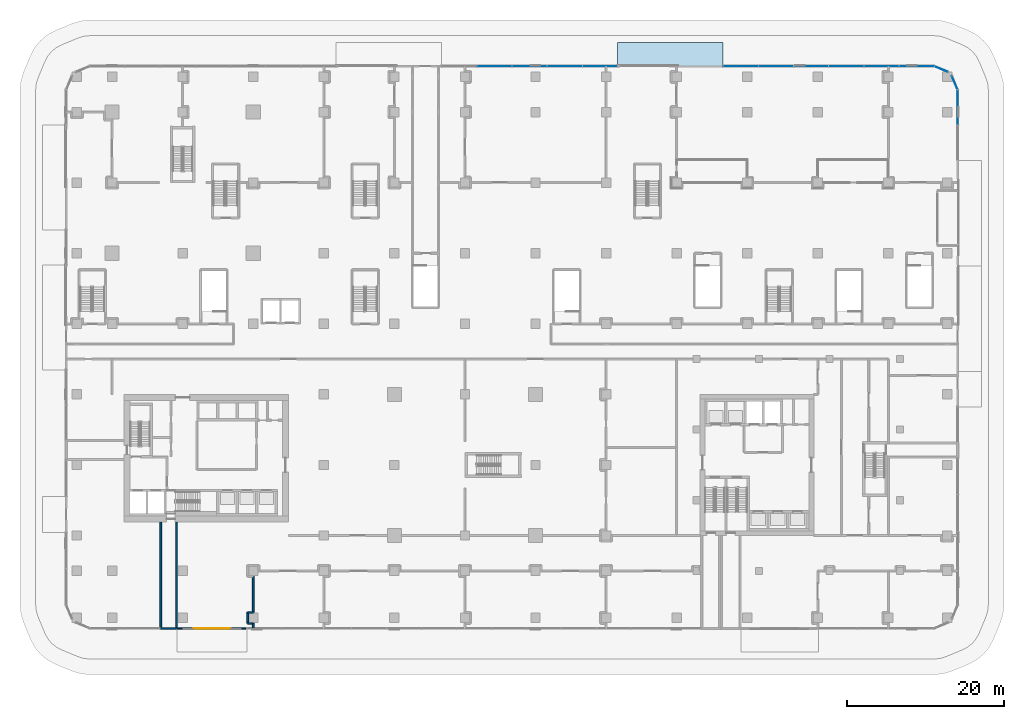
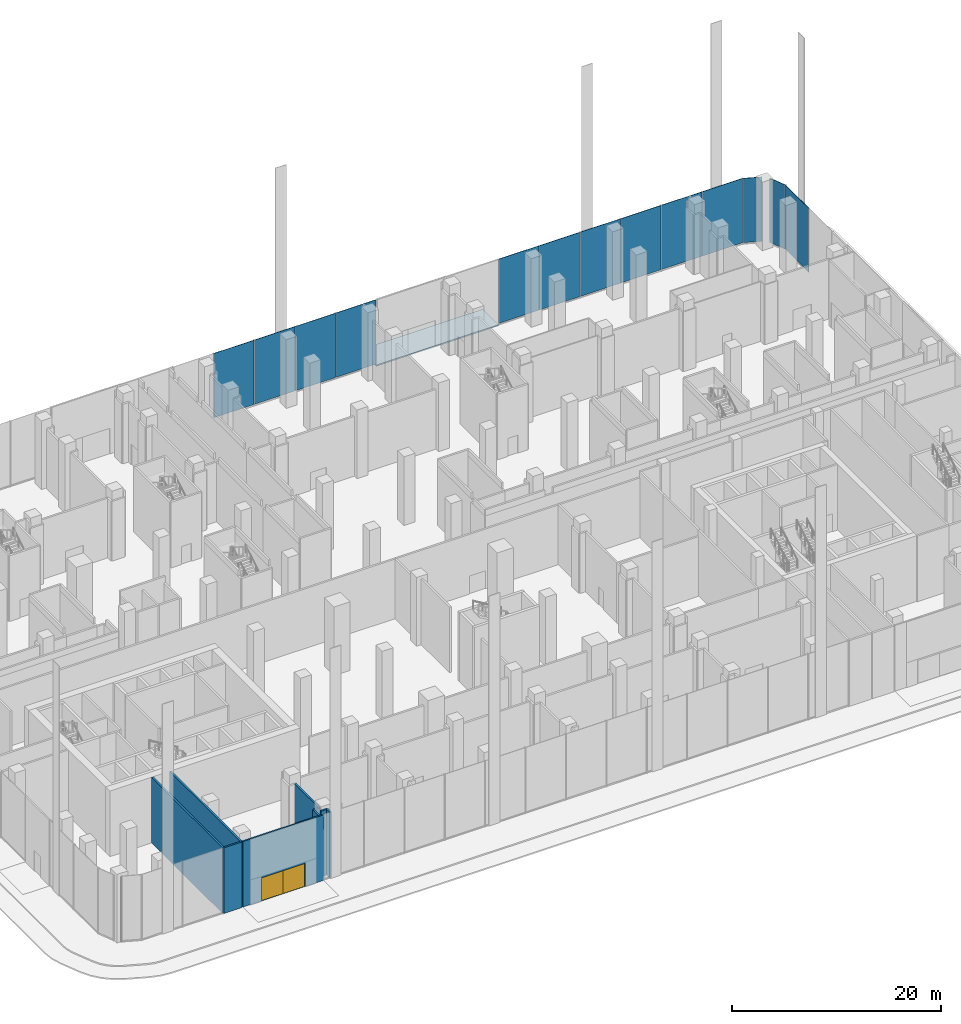
# One storey, part 16 of 42: 13 plates, 9 walls, 2 doors, 1 slab, 2 openings, 5 elements without a shape of their own.
"""IFC4 building model written with IfcOpenShell, lengths in metres."""

from ifc_helpers import new_model, si_unit, direction, frame, frame_2d, origin, origin_2d, place, context, subcontext, project, spatial, polyline, rectangle, outline, extrude, material, layer, layer_set, type_object, element, fill, aggregate, save


model = new_model("IFC4")

# Units and contexts
model_context = context("Model", 3, precision=1e-05, world=origin(), true_north=direction((0.0, 1.0)))
body_context = subcontext(model_context, "Body", "Model", "MODEL_VIEW")
ifc_project = project(units=[si_unit("LENGTHUNIT", "METRE"), si_unit("AREAUNIT", "SQUARE_METRE"), si_unit("VOLUMEUNIT", "CUBIC_METRE"), si_unit("PLANEANGLEUNIT", "RADIAN"), si_unit("MASSUNIT", "GRAM", prefix="KILO")], contexts=[model_context])

# Site, building, storey
site_placement = place(None, origin())
site = spatial("IfcSite", under=ifc_project, at=site_placement, CompositionType="ELEMENT")
building_placement = place(site_placement, origin())
building = spatial("IfcBuilding", under=site, at=building_placement, Name="Plateau Cross Towers", CompositionType="ELEMENT")
storey_placement = place(building_placement, origin())
storey = spatial("IfcBuildingStorey", under=building, at=storey_placement, Name="L00", CompositionType="ELEMENT", Elevation=0.0)

# Slab
ifc_material_1 = material(Name="Concrete C30/37", Category="concrete")
ifc_layer_1 = layer(ifc_material_1, 0.14990234375)
ifc_layer_set_1 = layer_set([ifc_layer_1], Name="Concrete C30/37")
slab_type = type_object("IfcSlabType", Name="Entrance apron paving 150", PredefinedType="FLOOR", material=ifc_layer_set_1)
slab_placement = place(storey_placement, frame((0.0, 0.0, -0.14990234375)))
element("IfcSlab", 1, at=slab_placement, inside=storey, type_object=slab_type, Name="Entrance apron station-N2", PredefinedType="FLOOR", context=body_context, shape_type="SweptSolid", body=[
    extrude(outline(polyline([(77.925048828125, 59.85009765625), (64.46240234375, 59.85009765625), (64.46240234375, 62.85009765625), (77.925048828125, 62.85009765625), (77.925048828125, 59.85009765625)])), origin(), (0.0, 0.0, 1.0), 0.14990234375),
])

# Curtain wall, plate
ifc_material_2 = material(Name="Dark low-iron laminated glass", Category="glass")
ifc_layer_2 = layer(ifc_material_2, 0.300048828125)
ifc_layer_set_2 = layer_set([ifc_layer_2], Name="Dark low-iron laminated glass")
curtain_wall_type = type_object("IfcCurtainWallType", Name="Curtain wall structural silicone CW-C", PredefinedType="NOTDEFINED", material=ifc_layer_set_2)
curtain_wall_1_placement = place(storey_placement, origin())
curtain_wall_1 = element("IfcCurtainWall", 2, at=curtain_wall_1_placement, inside=storey, type_object=curtain_wall_type, Name="ENV/P/L00/P1078_479", PredefinedType="NOTDEFINED")
ifc_layer_3 = layer(ifc_material_2, 0.0439453125)
ifc_layer_set_3 = layer_set([ifc_layer_3], Name="Dark low-iron laminated glass")
plate_type = type_object("IfcPlateType", Name="Glass panel 44 structural silicone", PredefinedType="CURTAIN_PANEL", material=ifc_layer_set_3)
plate_1_placement = place(storey_placement, frame((107.85009765625, 54.6025390625, 0.14990234375), z_axis=(0.0, 0.0, 1.0), x_axis=(0.0, 1.0, 0.0)))
plate_1 = element("IfcPlate", 3, at=plate_1_placement, type_object=plate_type, Name="CW-C panel 2", PredefinedType="CURTAIN_PANEL", context=body_context, shape_type="SweptSolid", body=[
    extrude(rectangle(XDim=4.445068359375, YDim=0.0439453125, at=origin_2d()), origin(), (0.0, 0.0, 1.0), 7.5),
])
aggregate(curtain_wall_1, [plate_1])

curtain_wall_2_placement = place(storey_placement, origin())
curtain_wall_2 = element("IfcCurtainWall", 4, at=curtain_wall_2_placement, inside=storey, type_object=curtain_wall_type, Name="ENV/P/L00/P1078_568", PredefinedType="NOTDEFINED")
plate_2_placement = place(storey_placement, frame((107.485107421875, 57.731201171875, 0.14990234375), z_axis=(0.0, 0.0, 1.0), x_axis=(-0.382683612978, 0.923879457699, 0.0)))
plate_2 = element("IfcPlate", 5, at=plate_2_placement, type_object=plate_type, Name="CW-C panel 1", PredefinedType="CURTAIN_PANEL", context=body_context, shape_type="SweptSolid", body=[
    extrude(rectangle(XDim=1.857666015625, YDim=0.0439453125, at=origin_2d()), origin(), (0.0, 0.0, 1.0), 7.5),
])
aggregate(curtain_wall_2, [plate_2])

curtain_wall_3_placement = place(storey_placement, origin())
curtain_wall_3 = element("IfcCurtainWall", 6, at=curtain_wall_3_placement, inside=storey, type_object=curtain_wall_type, Name="ENV/P/L00/P1066_591", PredefinedType="NOTDEFINED")
plate_3_placement = place(storey_placement, frame((105.731201171875, 59.485107421875, 0.14990234375), z_axis=(0.0, 0.0, 1.0), x_axis=(-0.923879457699, 0.382683612978, 0.0)))
plate_3 = element("IfcPlate", 7, at=plate_3_placement, type_object=plate_type, Name="CW-C panel 1", PredefinedType="CURTAIN_PANEL", context=body_context, shape_type="SweptSolid", body=[
    extrude(rectangle(XDim=1.857666015625, YDim=0.0439453125, at=origin_2d()), origin(), (0.0, 0.0, 1.0), 7.5),
])
aggregate(curtain_wall_3, [plate_3])

# Curtain wall, plates
curtain_wall_4_placement = place(storey_placement, origin())
curtain_wall_4 = element("IfcCurtainWall", 8, at=curtain_wall_4_placement, inside=storey, type_object=curtain_wall_type, Name="ENV/P/L00/P1048_598", PredefinedType="NOTDEFINED")
plate_4_placement = place(storey_placement, frame((102.606201171875, 59.85009765625, 0.14990234375), z_axis=(0.0, 0.0, 1.0), x_axis=(-1.0, 0.0, 0.0)))
plate_4 = element("IfcPlate", 9, at=plate_4_placement, type_object=plate_type, Name="CW-C panel 1", PredefinedType="CURTAIN_PANEL", context=body_context, shape_type="SweptSolid", body=[
    extrude(rectangle(XDim=4.4375, YDim=0.0439453125, at=origin_2d()), origin(), (0.0, 0.0, 1.0), 7.5),
])
plate_5_placement = place(storey_placement, frame((98.11865234375, 59.85009765625, 0.14990234375), z_axis=(0.0, 0.0, 1.0), x_axis=(-1.0, 0.0, 0.0)))
plate_5 = element("IfcPlate", 10, at=plate_5_placement, type_object=plate_type, Name="CW-C panel 2", PredefinedType="CURTAIN_PANEL", context=body_context, shape_type="SweptSolid", body=[
    extrude(rectangle(XDim=4.4375, YDim=0.0439453125, at=origin_2d()), origin(), (0.0, 0.0, 1.0), 7.5),
])
plate_6_placement = place(storey_placement, frame((93.63134765625, 59.85009765625, 0.14990234375), z_axis=(0.0, 0.0, 1.0), x_axis=(-1.0, 0.0, 0.0)))
plate_6 = element("IfcPlate", 11, at=plate_6_placement, type_object=plate_type, Name="CW-C panel 3", PredefinedType="CURTAIN_PANEL", context=body_context, shape_type="SweptSolid", body=[
    extrude(rectangle(XDim=4.4375, YDim=0.0439453125, at=origin_2d()), origin(), (0.0, 0.0, 1.0), 7.5),
])
plate_7_placement = place(storey_placement, frame((89.143798828125, 59.85009765625, 0.14990234375), z_axis=(0.0, 0.0, 1.0), x_axis=(-1.0, 0.0, 0.0)))
plate_7 = element("IfcPlate", 12, at=plate_7_placement, type_object=plate_type, Name="CW-C panel 4", PredefinedType="CURTAIN_PANEL", context=body_context, shape_type="SweptSolid", body=[
    extrude(rectangle(XDim=4.4375, YDim=0.0439453125, at=origin_2d()), origin(), (0.0, 0.0, 1.0), 7.5),
])
plate_8_placement = place(storey_placement, frame((84.65625, 59.85009765625, 0.14990234375), z_axis=(0.0, 0.0, 1.0), x_axis=(-1.0, 0.0, 0.0)))
plate_8 = element("IfcPlate", 13, at=plate_8_placement, type_object=plate_type, Name="CW-C panel 5", PredefinedType="CURTAIN_PANEL", context=body_context, shape_type="SweptSolid", body=[
    extrude(rectangle(XDim=4.4375, YDim=0.0439453125, at=origin_2d()), origin(), (0.0, 0.0, 1.0), 7.5),
])
plate_9_placement = place(storey_placement, frame((80.168701171875, 59.85009765625, 0.14990234375), z_axis=(0.0, 0.0, 1.0), x_axis=(-1.0, 0.0, 0.0)))
plate_9 = element("IfcPlate", 14, at=plate_9_placement, type_object=plate_type, Name="CW-C panel 6", PredefinedType="CURTAIN_PANEL", context=body_context, shape_type="SweptSolid", body=[
    extrude(rectangle(XDim=4.4375, YDim=0.0439453125, at=origin_2d()), origin(), (0.0, 0.0, 1.0), 7.5),
])
aggregate(curtain_wall_4, [plate_4, plate_5, plate_6, plate_7, plate_8, plate_9])

curtain_wall_5_placement = place(storey_placement, origin())
curtain_wall_5 = element("IfcCurtainWall", 15, at=curtain_wall_5_placement, inside=storey, type_object=curtain_wall_type, Name="ENV/P/L00/P645_598", PredefinedType="NOTDEFINED")
plate_10_placement = place(storey_placement, frame((62.21875, 59.85009765625, 0.14990234375), z_axis=(0.0, 0.0, 1.0), x_axis=(-1.0, 0.0, 0.0)))
plate_10 = element("IfcPlate", 16, at=plate_10_placement, type_object=plate_type, Name="CW-C panel 1", PredefinedType="CURTAIN_PANEL", context=body_context, shape_type="SweptSolid", body=[
    extrude(rectangle(XDim=4.4375, YDim=0.0439453125, at=origin_2d()), origin(), (0.0, 0.0, 1.0), 7.5),
])
plate_11_placement = place(storey_placement, frame((57.731201171875, 59.85009765625, 0.14990234375), z_axis=(0.0, 0.0, 1.0), x_axis=(-1.0, 0.0, 0.0)))
plate_11 = element("IfcPlate", 17, at=plate_11_placement, type_object=plate_type, Name="CW-C panel 2", PredefinedType="CURTAIN_PANEL", context=body_context, shape_type="SweptSolid", body=[
    extrude(rectangle(XDim=4.4375, YDim=0.0439453125, at=origin_2d()), origin(), (0.0, 0.0, 1.0), 7.5),
])
plate_12_placement = place(storey_placement, frame((53.24365234375, 59.85009765625, 0.14990234375), z_axis=(0.0, 0.0, 1.0), x_axis=(-1.0, 0.0, 0.0)))
plate_12 = element("IfcPlate", 18, at=plate_12_placement, type_object=plate_type, Name="CW-C panel 3", PredefinedType="CURTAIN_PANEL", context=body_context, shape_type="SweptSolid", body=[
    extrude(rectangle(XDim=4.4375, YDim=0.0439453125, at=origin_2d()), origin(), (0.0, 0.0, 1.0), 7.5),
])
plate_13_placement = place(storey_placement, frame((48.75634765625, 59.85009765625, 0.14990234375), z_axis=(0.0, 0.0, 1.0), x_axis=(-1.0, 0.0, 0.0)))
plate_13 = element("IfcPlate", 19, at=plate_13_placement, type_object=plate_type, Name="CW-C panel 4", PredefinedType="CURTAIN_PANEL", context=body_context, shape_type="SweptSolid", body=[
    extrude(rectangle(XDim=4.4375, YDim=0.0439453125, at=origin_2d()), origin(), (0.0, 0.0, 1.0), 7.5),
])
aggregate(curtain_wall_5, [plate_10, plate_11, plate_12, plate_13])

# Walls
ifc_material_3 = material(Name="Concrete block, plastered both sides", Category="concrete")
ifc_layer_4 = layer(ifc_material_3, 0.199951171875)
ifc_layer_set_4 = layer_set([ifc_layer_4], Name="Concrete block, plastered both sides")
wall_type_1 = type_object("IfcWallType", Name="Core partition 200", PredefinedType="PARTITIONING", material=ifc_layer_set_4)
for number, where, z_axis, x_axis, name in (
    (20, (6.199951171875, -11.85009765625, 0.0), (0.0, 0.0, 1.0), (0.0, 1.0, 0.0), "Core partition"),
    (21, (8.199951171875, -11.85009765625, 0.0), (0.0, 0.0, 1.0), (0.0, 1.0, 0.0), "Core partition"),
):
    element("IfcWall", number, at=place(storey_placement, frame(where, z_axis=z_axis, x_axis=x_axis)), inside=storey, type_object=wall_type_1, Name=name, PredefinedType="PARTITIONING", context=body_context, shape_type="SweptSolid", body=[
        extrude(rectangle(XDim=13.550048828125, YDim=0.199951171875, at=frame_2d((6.77490234375, 0.0))), origin(), (0.0, 0.0, 1.0), 7.64990234375),
    ])
wall_1_placement = place(storey_placement, frame((6.199951171875, -11.85009765625, 0.0), z_axis=(0.0, 0.0, 1.0), x_axis=(1.0, 0.0, 0.0)))
element("IfcWall", 22, at=wall_1_placement, inside=storey, type_object=wall_type_1, Name="Core partition", PredefinedType="PARTITIONING", context=body_context, shape_type="SweptSolid", body=[
    extrude(rectangle(XDim=2.0, YDim=0.199951171875, at=frame_2d((1.0, 0.0))), origin(), (0.0, 0.0, 1.0), 7.64990234375),
])

# Wall, openings, doors
ifc_material_4 = material(Name="Aluminium framed glazing", Category="aluminium")
ifc_layer_5 = layer(ifc_material_4, 0.159912109375)
ifc_layer_set_5 = layer_set([ifc_layer_5], Name="Aluminium framed glazing")
wall_type_2 = type_object("IfcWallType", Name="Entrance screen wall 160", PredefinedType="STANDARD", material=ifc_layer_set_5)
wall_2_placement = place(storey_placement, frame((17.206787109375, -11.85009765625, 0.0), z_axis=(0.0, 0.0, 1.0), x_axis=(-1.0, 0.0, 0.0)))
wall_2 = element("IfcWall", 23, at=wall_2_placement, inside=storey, type_object=wall_type_2, Name="Lobby lobby-A screen wall", PredefinedType="STANDARD", context=body_context, shape_type="SweptSolid", body=[
    extrude(rectangle(XDim=8.90673828125, YDim=0.159912109375, at=frame_2d((4.453369140625, 0.0))), origin(), (0.0, 0.0, 1.0), 7.64990234375),
])
opening_1_placement = place(wall_2_placement, frame((2.05322265625, 0.0, 0.0)))
opening_1 = element("IfcOpeningElement", 24, at=opening_1_placement, cuts=wall_2, Name="Opening XD2", PredefinedType="OPENING", context=body_context, shape_type="SweptSolid", body=[
    extrude(rectangle(XDim=2.39990234375, YDim=2.699951171875, at=frame_2d((1.199951171875, 1.35009765625))), frame((0.0, 0.08984375, 0.0), z_axis=(0.0, -1.0, 0.0), x_axis=(1.0, 0.0, 0.0)), (0.0, 0.0, 1.0), 0.179931640625),
])
opening_2_placement = place(wall_2_placement, frame((4.453369140625, 0.0, 0.0)))
opening_2 = element("IfcOpeningElement", 25, at=opening_2_placement, cuts=wall_2, Name="Opening XD2", PredefinedType="OPENING", context=body_context, shape_type="SweptSolid", body=[
    extrude(rectangle(XDim=2.39990234375, YDim=2.699951171875, at=frame_2d((1.199951171875, 1.35009765625))), frame((0.0, 0.08984375, 0.0), z_axis=(0.0, -1.0, 0.0), x_axis=(1.0, 0.0, 0.0)), (0.0, 0.0, 1.0), 0.179931640625),
])
door_type = type_object("IfcDoorType", Name="Entrance door double leaf 2400x2700", OperationType="DOUBLE_DOOR_SINGLE_SWING", PredefinedType="DOOR", material=ifc_material_4)
door_1_placement = place(opening_1_placement, origin())
door_1 = element("IfcDoor", 26, at=door_1_placement, inside=storey, type_object=door_type, Name="Lobby lobby-A door 1", OperationType="SINGLE_SWING_LEFT", OverallHeight=2.699951171875, OverallWidth=2.39990234375, PredefinedType="DOOR", context=body_context, shape_type="SweptSolid", body=[
    extrude(rectangle(XDim=2.39990234375, YDim=2.699951171875, at=frame_2d((1.199951171875, 1.35009765625))), frame((0.0, 0.02490234375, 0.0), z_axis=(0.0, -1.0, 0.0), x_axis=(1.0, 0.0, 0.0)), (0.0, 0.0, 1.0), 0.050048828125),
])
fill(opening_1, door_1)
door_2_placement = place(opening_2_placement, origin())
door_2 = element("IfcDoor", 27, at=door_2_placement, inside=storey, type_object=door_type, Name="Lobby lobby-A door 2", OperationType="SINGLE_SWING_LEFT", OverallHeight=2.699951171875, OverallWidth=2.39990234375, PredefinedType="DOOR", context=body_context, shape_type="SweptSolid", body=[
    extrude(rectangle(XDim=2.39990234375, YDim=2.699951171875, at=frame_2d((1.199951171875, 1.35009765625))), frame((0.0, 0.02490234375, 0.0), z_axis=(0.0, -1.0, 0.0), x_axis=(1.0, 0.0, 0.0)), (0.0, 0.0, 1.0), 0.050048828125),
])
fill(opening_2, door_2)

# Walls
ifc_material_5 = material(Name="Gypsum board on steel studs", Category="steel")
ifc_layer_6 = layer(ifc_material_5, 0.199951171875)
ifc_layer_set_6 = layer_set([ifc_layer_6], Name="Gypsum board on steel studs")
wall_type_3 = type_object("IfcWallType", Name="Podium partition 200", PredefinedType="PARTITIONING", material=ifc_layer_set_6)
wall_3_placement = place(storey_placement, frame((18.0, -5.199951171875, 0.0), z_axis=(0.0, 0.0, 1.0), x_axis=(0.0, -1.0, 0.0)))
element("IfcWall", 28, at=wall_3_placement, inside=storey, type_object=wall_type_3, Name="Partition wall", PredefinedType="PARTITIONING", context=body_context, shape_type="SweptSolid", body=[
    extrude(rectangle(XDim=4.60009765625, YDim=0.199951171875, at=frame_2d((2.300048828125, 0.0))), origin(), (0.0, 0.0, 1.0), 6.949951171875),
])
wall_4_placement = place(storey_placement, frame((18.0, -9.800048828125, 0.0), z_axis=(0.0, 0.0, 1.0), x_axis=(-1.0, 0.0, 0.0)))
element("IfcWall", 29, at=wall_4_placement, inside=storey, type_object=wall_type_3, Name="Partition wall", PredefinedType="PARTITIONING", context=body_context, shape_type="SweptSolid", body=[
    extrude(rectangle(XDim=0.699951171875, YDim=0.199951171875, at=frame_2d((0.35009765625, 0.0))), origin(), (0.0, 0.0, 1.0), 6.949951171875),
])
wall_5_placement = place(storey_placement, frame((17.300048828125, -9.800048828125, 0.0), z_axis=(0.0, 0.0, 1.0), x_axis=(0.0, -1.0, 0.0)))
element("IfcWall", 30, at=wall_5_placement, inside=storey, type_object=wall_type_3, Name="Partition wall", PredefinedType="PARTITIONING", context=body_context, shape_type="SweptSolid", body=[
    extrude(rectangle(XDim=1.39990234375, YDim=0.199951171875, at=frame_2d((0.699951171875, 0.0))), origin(), (0.0, 0.0, 1.0), 6.949951171875),
])
wall_6_placement = place(storey_placement, frame((17.300048828125, -11.199951171875, 0.0), z_axis=(0.0, 0.0, 1.0), x_axis=(1.0, 0.0, 0.0)))
element("IfcWall", 31, at=wall_6_placement, inside=storey, type_object=wall_type_3, Name="Partition wall", PredefinedType="PARTITIONING", context=body_context, shape_type="SweptSolid", body=[
    extrude(rectangle(XDim=0.699951171875, YDim=0.199951171875, at=frame_2d((0.35009765625, 0.0))), origin(), (0.0, 0.0, 1.0), 7.64990234375),
])
wall_7_placement = place(storey_placement, frame((18.0, -11.199951171875, 0.0), z_axis=(0.0, 0.0, 1.0), x_axis=(0.0, -1.0, 0.0)))
element("IfcWall", 32, at=wall_7_placement, inside=storey, type_object=wall_type_3, Name="Partition wall", PredefinedType="PARTITIONING", context=body_context, shape_type="SweptSolid", body=[
    extrude(rectangle(XDim=0.650146484375, YDim=0.199951171875, at=frame_2d((0.3251953125, 0.0))), origin(), (0.0, 0.0, 1.0), 7.64990234375),
])

save(model, "model.ifc")
